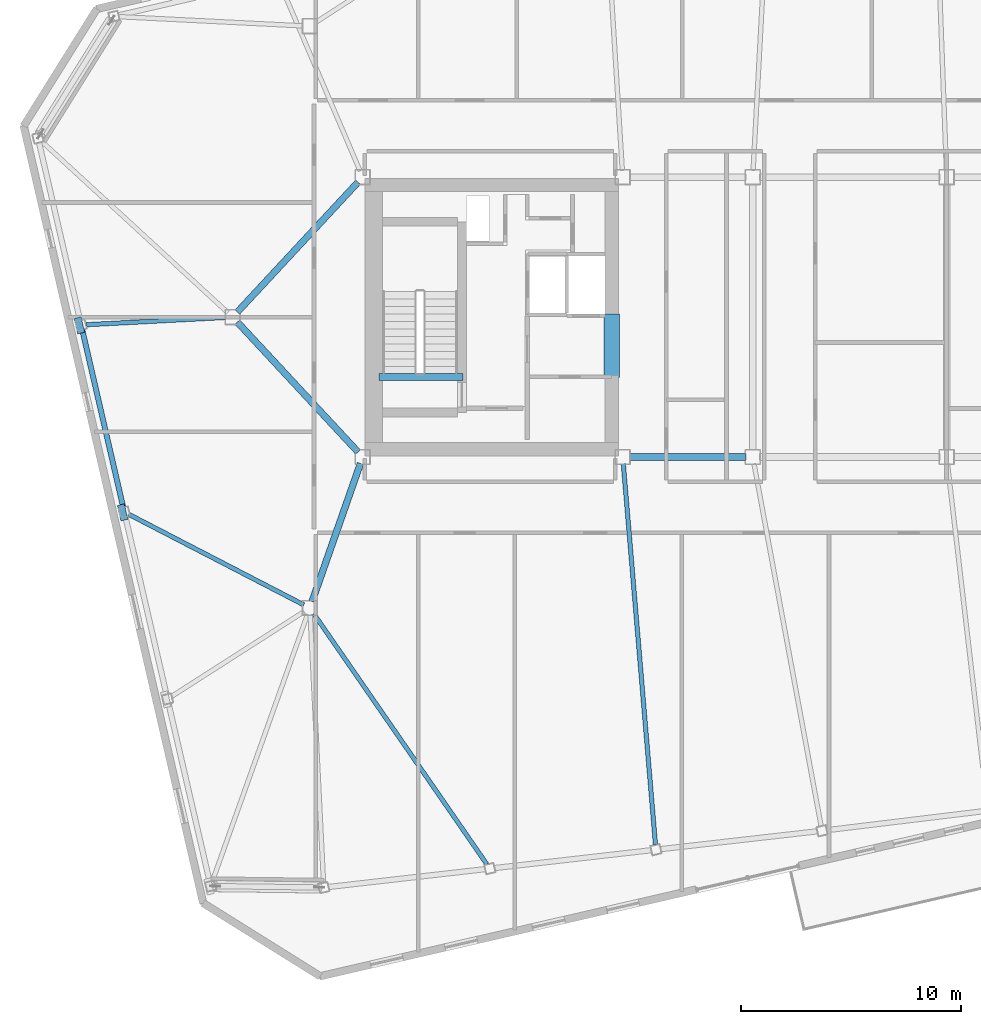
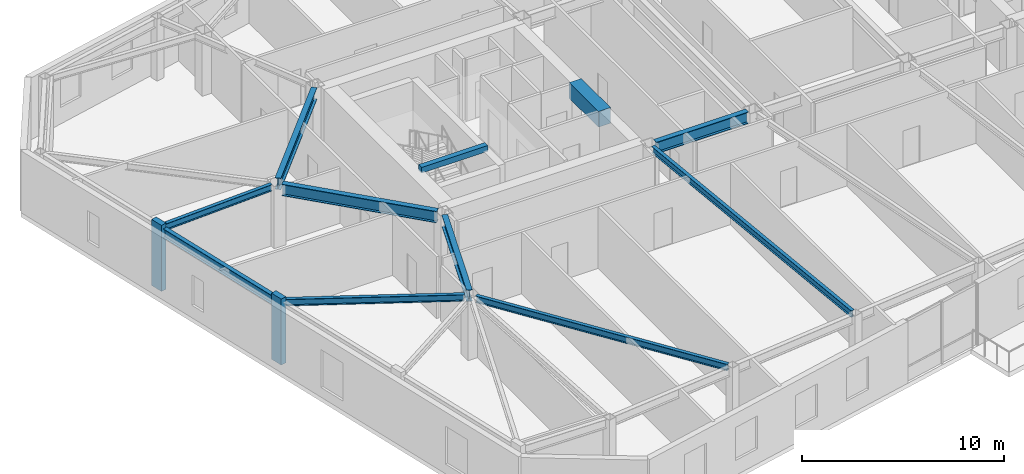
# One storey, part 6 of 24: 11 beams, 2 members.
"""IFC4 building model written with IfcOpenShell, lengths in metres."""

from ifc_helpers import new_model, si_unit, direction, frame, origin, origin_2d, place, context, subcontext, project, spatial, rectangle, i_section, extrude, material, material_profile, profile_set, type_object, element, save


model = new_model("IFC4")

# Units and contexts
model_context = context("Model", 3, precision=1e-05, world=origin(), true_north=direction((0.0, 1.0)))
body_context = subcontext(model_context, "Body", "Model", "MODEL_VIEW")
ifc_project = project(units=[si_unit("LENGTHUNIT", "METRE"), si_unit("AREAUNIT", "SQUARE_METRE"), si_unit("VOLUMEUNIT", "CUBIC_METRE"), si_unit("PLANEANGLEUNIT", "RADIAN"), si_unit("MASSUNIT", "GRAM", prefix="KILO")], contexts=[model_context])

# Site, building, storey
site_placement = place(None, origin())
site = spatial("IfcSite", under=ifc_project, at=site_placement, CompositionType="ELEMENT")
building_placement = place(site_placement, origin())
building = spatial("IfcBuilding", under=site, at=building_placement, Name="Tavrogorsk Clinical Tower", CompositionType="ELEMENT")
storey_placement = place(building_placement, frame((0.0, 0.0, 325.0)))
storey = spatial("IfcBuildingStorey", under=building, at=storey_placement, Name="L76", CompositionType="ELEMENT", Elevation=325.0)

# Beams
ifc_material_1 = material(Name="Concrete B80", Category="concrete")
ifc_material_profile_1 = material_profile(ifc_material_1, rectangle(XDim=0.699951171875, YDim=0.949951171875, at=origin_2d()), Name="RC-CB-700x950")
ifc_profile_set_1 = profile_set([ifc_material_profile_1], Name="Concrete B80")
beam_type_1 = type_object("IfcBeamType", Name="CouplingBeam_RC700x950", PredefinedType="LINTEL", material=ifc_profile_set_1)
beam_1_placement = place(storey_placement, frame((-10.800048828125, -2.75, 3.264892578125), z_axis=(0.0, 1.0, 0.0), x_axis=(-1.0, 0.0, 0.0)))
element("IfcBeam", 1, at=beam_1_placement, inside=storey, type_object=beam_type_1, Name="L76 Core West Coupling Beam", PredefinedType="LINTEL", context=body_context, shape_type="SweptSolid", body=[
    extrude(rectangle(XDim=0.699951171875, YDim=0.949951171875, at=origin_2d()), origin(), (0.0, 0.0, 1.0), 2.89990234375),
])
ifc_material_2 = material(Name="Structural steel S355", Category="steel")
ifc_material_profile_2 = material_profile(ifc_material_2, i_section(OverallWidth=0.199951171875, OverallDepth=0.39990234375, WebThickness=0.010498046875, FlangeThickness=0.01611328125, at=origin_2d()), Name="B-400x200x10.5x16")
ifc_profile_set_2 = profile_set([ifc_material_profile_2], Name="Structural steel S355")
beam_type_2 = type_object("IfcBeamType", Name="FloorBeam_B400", PredefinedType="BEAM", material=ifc_profile_set_2)
beam_2_placement = place(storey_placement, frame((-24.32373046875, -13.455078125, 3.5400390625), z_axis=(0.568335848504, -0.82279667191, 0.0), x_axis=(0.82279667191, 0.568335848504, 0.0)))
element("IfcBeam", 2, at=beam_2_placement, inside=storey, type_object=beam_type_2, Name="L76 Radial Floor Beam S2", PredefinedType="BEAM", context=body_context, shape_type="SweptSolid", body=[
    extrude(i_section(OverallWidth=0.199951171875, OverallDepth=0.39990234375, WebThickness=0.010498046875, FlangeThickness=0.01611328125, at=origin_2d()), origin(), (0.0, 0.0, 1.0), 13.831298828125),
])
beam_3_placement = place(storey_placement, frame((-10.27392578125, -6.658935546875, 3.5400390625), z_axis=(0.084215365049, -0.996447576288, 0.0), x_axis=(0.996447576288, 0.084215365049, 0.0)))
element("IfcBeam", 3, at=beam_3_placement, inside=storey, type_object=beam_type_2, Name="L76 Radial Floor Beam S3", PredefinedType="BEAM", context=body_context, shape_type="SweptSolid", body=[
    extrude(i_section(OverallWidth=0.199951171875, OverallDepth=0.39990234375, WebThickness=0.010498046875, FlangeThickness=0.01611328125, at=origin_2d()), origin(), (0.0, 0.0, 1.0), 17.3388671875),
])
beam_4_placement = place(storey_placement, frame((-28.3095703125, -0.01611328125, 3.5400390625), z_axis=(-0.99864101713, -0.052116397656, 0.0), x_axis=(0.052116397656, -0.99864101713, 0.0)))
element("IfcBeam", 4, at=beam_4_placement, inside=storey, type_object=beam_type_2, Name="L76 Radial Floor Beam W2", PredefinedType="BEAM", context=body_context, shape_type="SweptSolid", body=[
    extrude(i_section(OverallWidth=0.199951171875, OverallDepth=0.39990234375, WebThickness=0.010498046875, FlangeThickness=0.01611328125, at=origin_2d()), origin(), (0.0, 0.0, 1.0), 6.3427734375),
])
beam_5_placement = place(storey_placement, frame((-24.775390625, -13.0576171875, 3.5400390625), z_axis=(-0.888188417157, 0.459479418069, 0.0), x_axis=(-0.459479418069, -0.888188417157, 0.0)))
element("IfcBeam", 5, at=beam_5_placement, inside=storey, type_object=beam_type_2, Name="L76 Radial Floor Beam W3", PredefinedType="BEAM", context=body_context, shape_type="SweptSolid", body=[
    extrude(i_section(OverallWidth=0.199951171875, OverallDepth=0.39990234375, WebThickness=0.010498046875, FlangeThickness=0.01611328125, at=origin_2d()), origin(), (0.0, 0.0, 1.0), 8.93408203125),
])

# Members
ifc_material_3 = material(Name="Precast concrete B45 with limestone cladding", Category="masonry")
ifc_material_profile_3 = material_profile(ifc_material_3, rectangle(XDim=0.320068359375, YDim=0.719970703125, at=origin_2d()), Name="LIMESTONE-FIN-320x720")
ifc_profile_set_3 = profile_set([ifc_material_profile_3], Name="Precast concrete B45 with limestone cladding")
member_type = type_object("IfcMemberType", Name="LimestonePleatFin_320x720", PredefinedType="USERDEFINED", material=ifc_profile_set_3)
for number, where, z_axis, x_axis, name in (
    (6, (-34.95458984375, -0.376708984375, 0.0), (0.0, 0.0, 1.0), (0.974370064785, 0.224951054344, 0.0), "L76 W Pleated Stone Fin 1"),
    (7, (-32.995361328125, -8.863525390625, 0.0), (0.0, 0.0, 1.0), (0.974370064785, 0.224951054344, 0.0), "L76 W Pleated Stone Fin 2"),
):
    element("IfcMember", number, at=place(storey_placement, frame(where, z_axis=z_axis, x_axis=x_axis)), inside=storey, type_object=member_type, Name=name, ObjectType="FIN", PredefinedType="USERDEFINED", context=body_context, shape_type="SweptSolid", body=[
        extrude(rectangle(XDim=0.320068359375, YDim=0.719970703125, at=origin_2d()), origin(), (0.0, 0.0, 1.0), 4.0),
    ])

# Beams
ifc_material_4 = material(Name="Structural steel S390", Category="steel")
ifc_material_profile_4 = material_profile(ifc_material_4, i_section(OverallWidth=0.300048828125, OverallDepth=0.699951171875, WebThickness=0.01708984375, FlangeThickness=0.028076171875, at=origin_2d()), Name="B-700x300x17x28")
ifc_profile_set_4 = profile_set([ifc_material_profile_4], Name="Structural steel S390")
beam_type_3 = type_object("IfcBeamType", Name="PrimaryGirder_B700", PredefinedType="USERDEFINED", material=ifc_profile_set_4)
beam_6_placement = place(storey_placement, frame((-9.989990234375, -6.35009765625, 3.389892578125), z_axis=(1.0, 0.0, 0.0), x_axis=(0.0, 1.0, 0.0)))
element("IfcBeam", 8, at=beam_6_placement, inside=storey, type_object=beam_type_3, Name="L76 Primary Spine Girder MG-01", ObjectType="GIRDER", PredefinedType="USERDEFINED", context=body_context, shape_type="SweptSolid", body=[
    extrude(i_section(OverallWidth=0.300048828125, OverallDepth=0.699951171875, WebThickness=0.01708984375, FlangeThickness=0.028076171875, at=origin_2d()), origin(), (0.0, 0.0, 1.0), 5.280029296875),
])
beam_7_placement = place(storey_placement, frame((-24.3974609375, -12.907470703125, 3.389892578125), z_axis=(0.330666578092, 0.943747643246, 0.0), x_axis=(-0.943747643246, 0.330666578092, 0.0)))
element("IfcBeam", 9, at=beam_7_placement, inside=storey, type_object=beam_type_3, Name="L76 Spine Link Girder OPG-1", ObjectType="GIRDER", PredefinedType="USERDEFINED", context=body_context, shape_type="SweptSolid", body=[
    extrude(i_section(OverallWidth=0.300048828125, OverallDepth=0.699951171875, WebThickness=0.01708984375, FlangeThickness=0.028076171875, at=origin_2d()), origin(), (0.0, 0.0, 1.0), 6.638427734375),
])
for number, where, z_axis, x_axis, name in (
    (10, (-27.7890625, -0.22705078125, 3.389892578125), (0.680677963005, -0.732582767119, 0.0), (0.732582767119, 0.680677963005, 0.0), "L76 Spine Link Girder OPG-5"),
    (11, (-27.7890625, 0.22705078125, 3.389892578125), (0.680677963005, 0.732582767119, 0.0), (-0.732582767119, 0.680677963005, 0.0), "L76 Spine Link Girder OPG-6"),
):
    element("IfcBeam", number, at=place(storey_placement, frame(where, z_axis=z_axis, x_axis=x_axis)), inside=storey, type_object=beam_type_3, Name=name, ObjectType="GIRDER", PredefinedType="USERDEFINED", context=body_context, shape_type="SweptSolid", body=[
        extrude(i_section(OverallWidth=0.300048828125, OverallDepth=0.699951171875, WebThickness=0.01708984375, FlangeThickness=0.028076171875, at=origin_2d()), origin(), (0.0, 0.0, 1.0), 8.0478515625),
    ])
ifc_material_5 = material(Name="Structural steel S390", Category="steel")
ifc_material_profile_5 = material_profile(ifc_material_5, i_section(OverallWidth=0.239990234375, OverallDepth=0.550048828125, WebThickness=0.013916015625, FlangeThickness=0.02197265625, at=origin_2d()), Name="B-550x240x14x22")
ifc_profile_set_5 = profile_set([ifc_material_profile_5], Name="Structural steel S390")
beam_type_4 = type_object("IfcBeamType", Name="SpandrelBeam_B550", PredefinedType="SPANDREL", material=ifc_profile_set_5)
beam_8_placement = place(storey_placement, frame((-34.82421875, -0.585693359375, 3.465087890625), z_axis=(0.224950345141, -0.974370228517, 0.0), x_axis=(0.974370228517, 0.224950345141, 0.0)))
element("IfcBeam", 12, at=beam_8_placement, inside=storey, type_object=beam_type_4, Name="L76 Perimeter Spandrel W2-W3", PredefinedType="SPANDREL", context=body_context, shape_type="SweptSolid", body=[
    extrude(i_section(OverallWidth=0.239990234375, OverallDepth=0.550048828125, WebThickness=0.013916015625, FlangeThickness=0.02197265625, at=origin_2d()), origin(), (0.0, 0.0, 1.0), 8.243896484375),
])
ifc_material_6 = material(Name="Concrete B60", Category="concrete")
ifc_material_profile_6 = material_profile(ifc_material_6, rectangle(XDim=0.300048828125, YDim=0.35009765625, at=origin_2d()), Name="RC-SHB-300x350")
ifc_profile_set_6 = profile_set([ifc_material_profile_6], Name="Concrete B60")
beam_type_5 = type_object("IfcBeamType", Name="StairHeaderBeam_RC300x350", PredefinedType="BEAM", material=ifc_profile_set_6)
beam_9_placement = place(storey_placement, frame((-21.35009765625, -2.719970703125, 3.824951171875), z_axis=(1.0, 0.0, 0.0), x_axis=(0.0, 1.0, 0.0)))
element("IfcBeam", 13, at=beam_9_placement, inside=storey, type_object=beam_type_5, Name="L77 ST-W Landing Header Beam", PredefinedType="BEAM", context=body_context, shape_type="SweptSolid", body=[
    extrude(rectangle(XDim=0.300048828125, YDim=0.35009765625, at=origin_2d()), origin(), (0.0, 0.0, 1.0), 3.800048828125),
])

save(model, "model.ifc")
